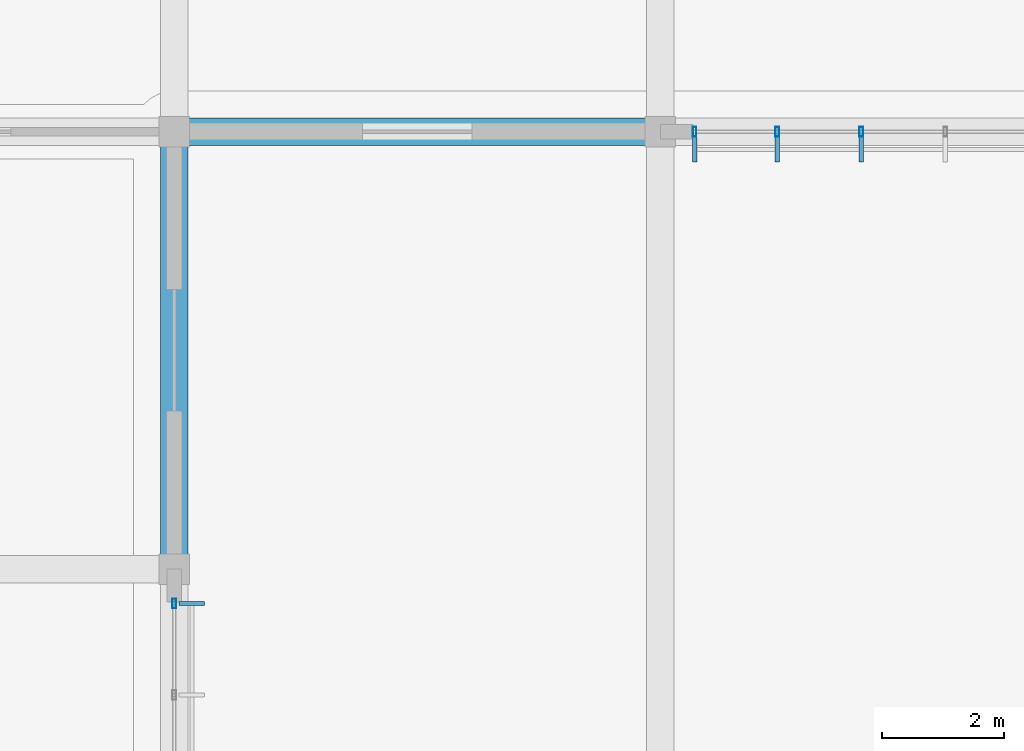
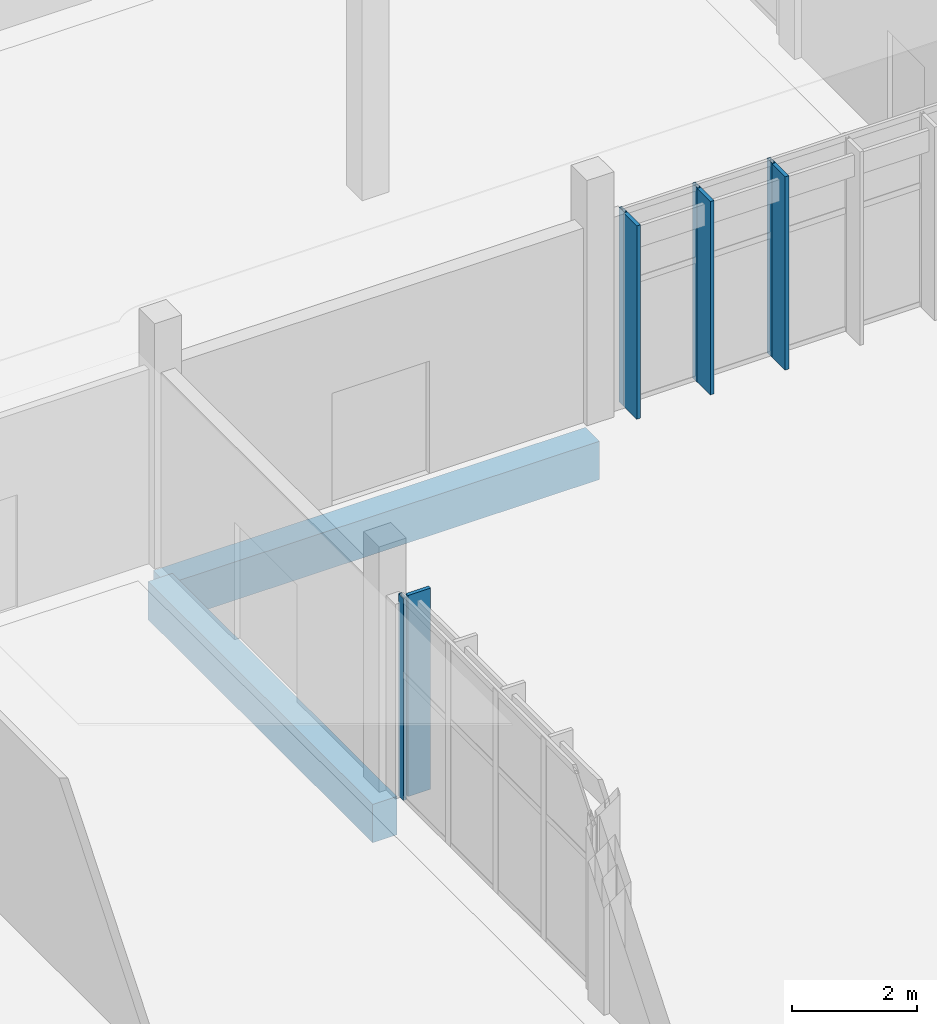
# One storey, part 56 of 151: 8 members, 2 beams, 2 elements without a shape of their own.
"""IFC4 building model written with IfcOpenShell, lengths in metres."""

from ifc_helpers import new_model, si_unit, direction, frame, origin, origin_2d, place, context, subcontext, project, spatial, rectangle, hollow_rectangle, extrude, material, material_profile, profile_set, type_object, element, aggregate, save


model = new_model("IFC4")

# Units and contexts
model_context = context("Model", 3, precision=1e-05, world=origin(), true_north=direction((0.0, 1.0)))
body_context = subcontext(model_context, "Body", "Model", "MODEL_VIEW")
ifc_project = project(units=[si_unit("LENGTHUNIT", "METRE"), si_unit("AREAUNIT", "SQUARE_METRE"), si_unit("VOLUMEUNIT", "CUBIC_METRE"), si_unit("PLANEANGLEUNIT", "RADIAN"), si_unit("MASSUNIT", "GRAM", prefix="KILO")], contexts=[model_context])

# Site, building, storey
site_placement = place(None, origin())
site = spatial("IfcSite", under=ifc_project, at=site_placement, CompositionType="ELEMENT")
building_placement = place(site_placement, origin())
building = spatial("IfcBuilding", under=site, at=building_placement, Name="Chiffa Square Polytechnic", CompositionType="ELEMENT")
storey_placement = place(building_placement, origin())
storey = spatial("IfcBuildingStorey", under=building, at=storey_placement, Name="L00", CompositionType="ELEMENT", Elevation=0.0)

# Curtain wall, member
ifc_material_1 = material(Name="Aluminium EN AW-6060 T66 and glulam shading", Category="wood")
curtain_wall_type_1 = type_object("IfcCurtainWallType", Name="CW-VERT-450X440", PredefinedType="USERDEFINED", material=ifc_material_1)
curtain_wall_1_placement = place(storey_placement, origin())
curtain_wall_1 = element("IfcCurtainWall", 1, at=curtain_wall_1_placement, inside=storey, type_object=curtain_wall_type_1, Name="Curtain wall CW-V6-L00-248", ObjectType="CURTAIN WALL", PredefinedType="USERDEFINED")
ifc_material_2 = material(Name="Aluminium EN AW-6060 T66", Category="aluminium")
ifc_material_profile_1 = material_profile(ifc_material_2, hollow_rectangle(XDim=0.06005859375, YDim=0.159912109375, WallThickness=0.00390625, at=origin_2d()), Name="ALU 60x160x4")
ifc_profile_set_1 = profile_set([ifc_material_profile_1], Name="Aluminium EN AW-6060 T66")
member_type_1 = type_object("IfcMemberType", Name="CWM-ALU-65X150", PredefinedType="MULLION", material=ifc_profile_set_1)
member_1_placement = place(storey_placement, frame((32.0, 72.034912109375, 0.0), z_axis=(0.0, 0.0, 1.0), x_axis=(1.0, 0.0, 0.0)))
member_1 = element("IfcMember", 2, at=member_1_placement, type_object=member_type_1, Name="Curtain wall mullion CW-V6-L00-248-M04", PredefinedType="MULLION", context=body_context, shape_type="SweptSolid", body=[
    extrude(hollow_rectangle(XDim=0.06005859375, YDim=0.159912109375, WallThickness=0.00390625, at=origin_2d()), origin(), (0.0, 0.0, 1.0), 3.955078125),
])

# Curtain wall, members
curtain_wall_type_2 = type_object("IfcCurtainWallType", Name="CW-VERT-600X440", PredefinedType="USERDEFINED", material=ifc_material_1)
curtain_wall_2_placement = place(storey_placement, origin())
curtain_wall_2 = element("IfcCurtainWall", 3, at=curtain_wall_2_placement, inside=storey, type_object=curtain_wall_type_2, Name="Curtain wall CW-V6-L00-249", ObjectType="CURTAIN WALL", PredefinedType="USERDEFINED")
member_2_placement = place(storey_placement, frame((40.56494140625, 79.800048828125, 0.0), z_axis=(0.0, 0.0, 1.0), x_axis=(1.0, 0.0, 0.0)))
member_2 = element("IfcMember", 4, at=member_2_placement, type_object=member_type_1, Name="Curtain wall mullion CW-V6-L00-249-M00", PredefinedType="MULLION", context=body_context, shape_type="SweptSolid", body=[
    extrude(hollow_rectangle(XDim=0.06005859375, YDim=0.159912109375, WallThickness=0.00390625, at=origin_2d()), origin(), (0.0, 0.0, 1.0), 3.804931640625),
])
member_3_placement = place(storey_placement, frame((41.924072265625, 79.800048828125, 0.0), z_axis=(0.0, 0.0, 1.0), x_axis=(1.0, 0.0, 0.0)))
member_3 = element("IfcMember", 5, at=member_3_placement, type_object=member_type_1, Name="Curtain wall mullion CW-V6-L00-249-M01", PredefinedType="MULLION", context=body_context, shape_type="SweptSolid", body=[
    extrude(hollow_rectangle(XDim=0.06005859375, YDim=0.159912109375, WallThickness=0.00390625, at=origin_2d()), origin(), (0.0, 0.0, 1.0), 3.804931640625),
])
member_4_placement = place(storey_placement, frame((43.30810546875, 79.800048828125, 0.0), z_axis=(0.0, 0.0, 1.0), x_axis=(1.0, 0.0, 0.0)))
member_4 = element("IfcMember", 6, at=member_4_placement, type_object=member_type_1, Name="Curtain wall mullion CW-V6-L00-249-M02", PredefinedType="MULLION", context=body_context, shape_type="SweptSolid", body=[
    extrude(hollow_rectangle(XDim=0.06005859375, YDim=0.159912109375, WallThickness=0.00390625, at=origin_2d()), origin(), (0.0, 0.0, 1.0), 3.804931640625),
])

# Member
ifc_material_3 = material(Name="Glulam GL28h", Category="wood")
ifc_material_profile_2 = material_profile(ifc_material_3, rectangle(XDim=0.070068359375, YDim=0.419921875, at=origin_2d()), Name="GL28h 70x420")
ifc_profile_set_2 = profile_set([ifc_material_profile_2], Name="Glulam GL28h")
member_type_2 = type_object("IfcMemberType", Name="CWM-GL-70X420", PredefinedType="MULLION", material=ifc_profile_set_2)
member_5_placement = place(storey_placement, frame((32.2919921875, 72.034912109375, 0.010009765625), z_axis=(0.0, 0.0, 1.0), x_axis=(0.0, 1.0, 0.0)))
member_5 = element("IfcMember", 7, at=member_5_placement, type_object=member_type_2, Name="Exterior glulam solar fin CW-V6-L00-248-FN04", PredefinedType="MULLION", context=body_context, shape_type="SweptSolid", body=[
    extrude(rectangle(XDim=0.070068359375, YDim=0.419921875, at=origin_2d()), origin(), (0.0, 0.0, 1.0), 3.93505859375),
])

aggregate(curtain_wall_1, [member_1, member_5])

member_6_placement = place(storey_placement, frame((40.56494140625, 79.508056640625, 0.010009765625), z_axis=(0.0, 0.0, 1.0), x_axis=(1.0, 0.0, 0.0)))
member_6 = element("IfcMember", 8, at=member_6_placement, type_object=member_type_2, Name="Exterior glulam solar fin CW-V6-L00-249-FN00", PredefinedType="MULLION", context=body_context, shape_type="SweptSolid", body=[
    extrude(rectangle(XDim=0.070068359375, YDim=0.419921875, at=origin_2d()), origin(), (0.0, 0.0, 1.0), 3.784912109375),
])

member_7_placement = place(storey_placement, frame((41.924072265625, 79.508056640625, 0.010009765625), z_axis=(0.0, 0.0, 1.0), x_axis=(1.0, 0.0, 0.0)))
member_7 = element("IfcMember", 9, at=member_7_placement, type_object=member_type_2, Name="Exterior glulam solar fin CW-V6-L00-249-FN01", PredefinedType="MULLION", context=body_context, shape_type="SweptSolid", body=[
    extrude(rectangle(XDim=0.070068359375, YDim=0.419921875, at=origin_2d()), origin(), (0.0, 0.0, 1.0), 3.784912109375),
])

member_8_placement = place(storey_placement, frame((43.30810546875, 79.508056640625, 0.010009765625), z_axis=(0.0, 0.0, 1.0), x_axis=(1.0, 0.0, 0.0)))
member_8 = element("IfcMember", 10, at=member_8_placement, type_object=member_type_2, Name="Exterior glulam solar fin CW-V6-L00-249-FN02", PredefinedType="MULLION", context=body_context, shape_type="SweptSolid", body=[
    extrude(rectangle(XDim=0.070068359375, YDim=0.419921875, at=origin_2d()), origin(), (0.0, 0.0, 1.0), 3.784912109375),
])

aggregate(curtain_wall_2, [member_2, member_6, member_3, member_7, member_4, member_8])

# Beams
ifc_material_4 = material(Name="Concrete C35/45", Category="concrete")
ifc_material_profile_3 = material_profile(ifc_material_4, rectangle(XDim=0.449951171875, YDim=0.75, at=origin_2d()), Name="RC 450x750")
ifc_profile_set_3 = profile_set([ifc_material_profile_3], Name="Concrete C35/45")
beam_type = type_object("IfcBeamType", Name="GB-RC-450X750", PredefinedType="BEAM", material=ifc_profile_set_3)
beam_1_placement = place(storey_placement, frame((32.0, 79.800048828125, -0.77490234375), z_axis=(1.0, 0.0, 0.0), x_axis=(0.0, 1.0, 0.0)))
element("IfcBeam", 11, at=beam_1_placement, inside=storey, type_object=beam_type, Name="Ground tie beam GB-V6-X-181", PredefinedType="BEAM", context=body_context, shape_type="SweptSolid", body=[
    extrude(rectangle(XDim=0.449951171875, YDim=0.75, at=origin_2d()), origin(), (0.0, 0.0, 1.0), 8.0),
])
beam_2_placement = place(storey_placement, frame((32.0, 72.60009765625, -0.77490234375), z_axis=(0.0, 1.0, 0.0), x_axis=(-1.0, 0.0, 0.0)))
element("IfcBeam", 12, at=beam_2_placement, inside=storey, type_object=beam_type, Name="Ground tie beam GB-V6-Y-232", PredefinedType="BEAM", context=body_context, shape_type="SweptSolid", body=[
    extrude(rectangle(XDim=0.449951171875, YDim=0.75, at=origin_2d()), origin(), (0.0, 0.0, 1.0), 7.199951171875),
])

save(model, "model.ifc")
